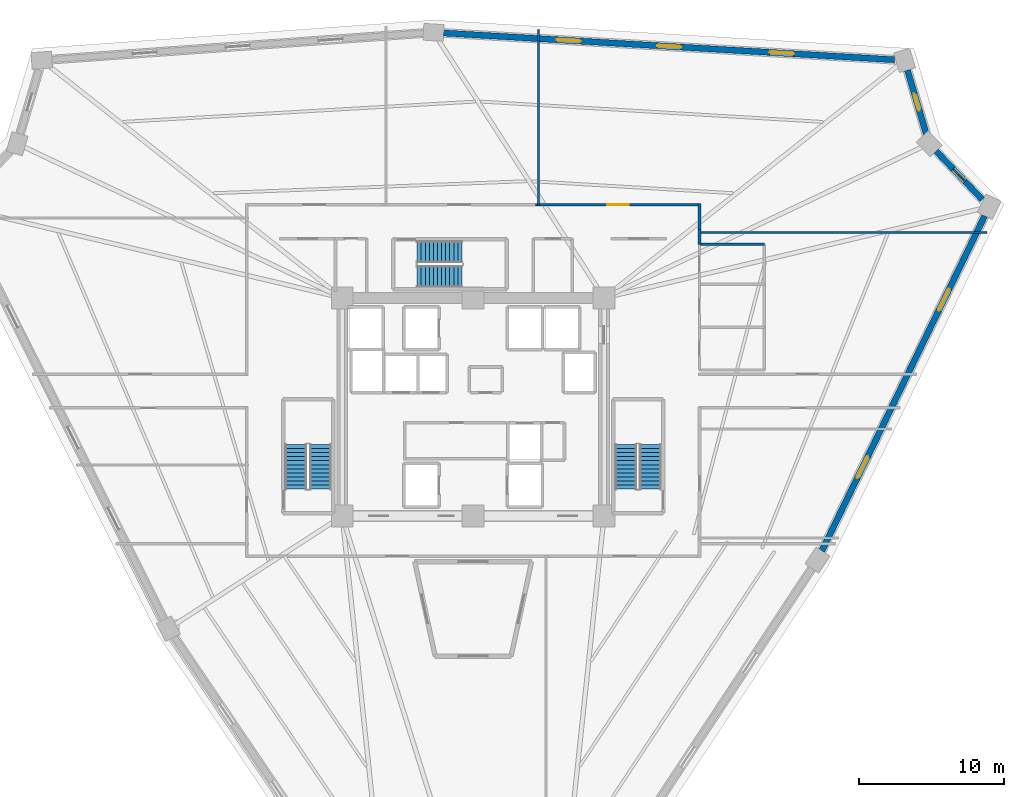
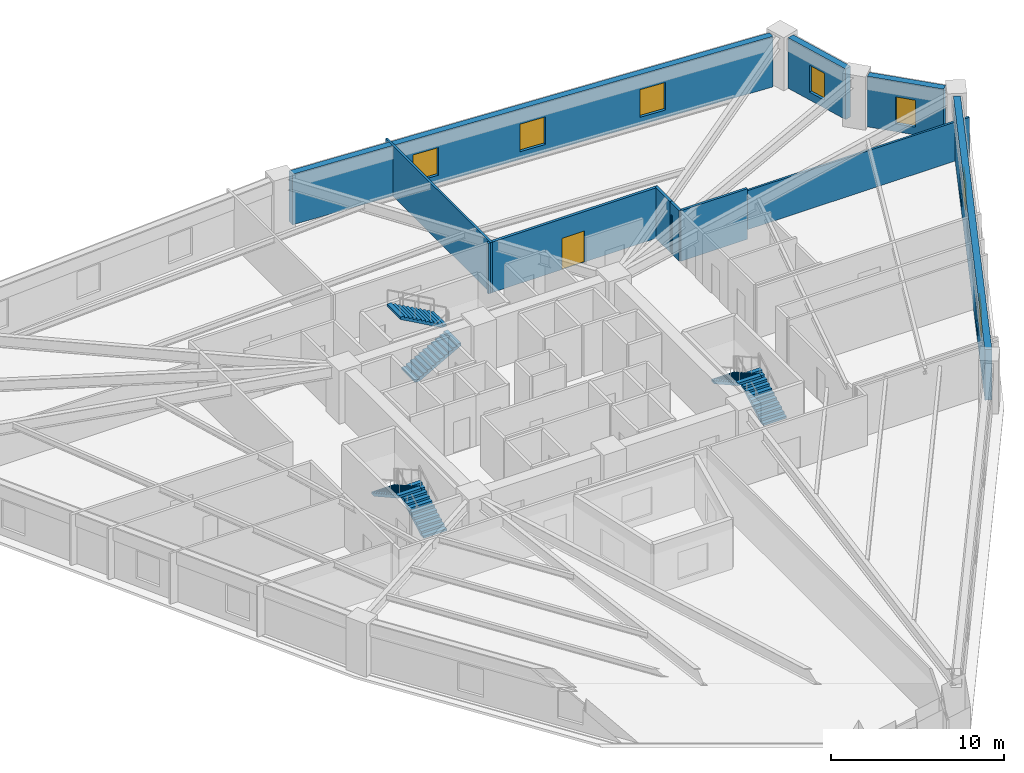
# One storey, part 7 of 9: 10 walls, 7 windows, 6 stair flights, 1 door, 8 openings, 3 elements without a shape of their own.
"""IFC4 building model written with IfcOpenShell, lengths in metres."""

from ifc_helpers import new_model, si_unit, direction, frame, frame_2d, origin, place, context, subcontext, project, spatial, polyline, rectangle, outline, extrude, source, transform, mapped, material, layer, layer_set, type_object, element, fill, aggregate, save


model = new_model("IFC4")

# Units and contexts
model_context = context("Model", 3, precision=1e-05, world=origin(), true_north=direction((0.0, 1.0)))
body_context = subcontext(model_context, "Body", "Model", "MODEL_VIEW")
ifc_project = project(units=[si_unit("LENGTHUNIT", "METRE"), si_unit("AREAUNIT", "SQUARE_METRE"), si_unit("VOLUMEUNIT", "CUBIC_METRE"), si_unit("PLANEANGLEUNIT", "RADIAN"), si_unit("MASSUNIT", "GRAM", prefix="KILO")], contexts=[model_context])

# Site, building, storey
site_placement = place(None, origin())
site = spatial("IfcSite", under=ifc_project, at=site_placement, CompositionType="ELEMENT")
building_placement = place(site_placement, origin())
building = spatial("IfcBuilding", under=site, at=building_placement, Name="Liaohun Quay Tower", CompositionType="ELEMENT")
storey_placement = place(building_placement, frame((0.0, 0.0, 144.0)))
storey = spatial("IfcBuildingStorey", under=building, at=storey_placement, Name="L37", CompositionType="ELEMENT", Elevation=144.0)

# Wall, openings, windows
ifc_material_1 = material(Name="Precast concrete C50 insulated sandwich", Category="concrete")
ifc_layer_1 = layer(ifc_material_1, 0.419921875, Name="Precast concrete C50 insulated sandwich", Category="concrete")
ifc_layer_set_1 = layer_set([ifc_layer_1], Name="Precast concrete C50 insulated sandwich")
wall_type_1 = type_object("IfcWallType", Name="WAL-EXT-Z12", PredefinedType="SOLIDWALL", material=ifc_layer_set_1)
wall_1_placement = place(storey_placement, frame((83.968017578125, 44.10205078125, 0.0), z_axis=(0.0, 0.0, 1.0), x_axis=(0.437237241279, 0.899346204105, 0.0)))
wall_1 = element("IfcWall", 1, at=wall_1_placement, inside=storey, type_object=wall_type_1, Name="L37 Brutalist Precast Pier Wall 03", PredefinedType="SOLIDWALL", context=body_context, shape_type="SweptSolid", body=[
    extrude(rectangle(XDim=25.61962890625, YDim=0.419921875, at=frame_2d((12.809814453125, 0.0))), origin(), (0.0, 0.0, 1.0), 3.570068359375),
])
shared_shape_1 = source(origin(), body_context, "Body", "SweptSolid", [
    extrude(rectangle(XDim=1.64990234375, YDim=1.949951171875, at=frame_2d((0.824951171875, 0.97509765625))), frame((0.0, 0.219970703125, 0.0), z_axis=(0.0, -1.0, 0.0), x_axis=(1.0, 0.0, 0.0)), (0.0, 0.0, 1.0), 0.43994140625),
])
opening_1_placement = place(wall_1_placement, frame((5.580078125, 0.0, 0.550048828125)))
opening_1 = element("IfcOpeningElement", 2, at=opening_1_placement, cuts=wall_1, Name="Opening W02", PredefinedType="OPENING", context=body_context, shape_type="MappedRepresentation", body=[
    mapped(shared_shape_1, transform((0.0, 0.0, 0.0), x_axis=(1.0, 0.0, 0.0), y_axis=(0.0, 1.0, 0.0), z_axis=(0.0, 0.0, 1.0), scale=1.0)),
])
opening_2_placement = place(wall_1_placement, frame((18.389892578125, 0.0, 0.550048828125)))
opening_2 = element("IfcOpeningElement", 3, at=opening_2_placement, cuts=wall_1, Name="Opening W02", PredefinedType="OPENING", context=body_context, shape_type="MappedRepresentation", body=[
    mapped(shared_shape_1, transform((0.0, 0.0, 0.0), x_axis=(1.0, 0.0, 0.0), y_axis=(0.0, 1.0, 0.0), z_axis=(0.0, 0.0, 1.0), scale=1.0)),
])
ifc_material_2 = material(Name="Triple Low-E argon glazing in thermally broken aluminium", Category="aluminium")
window_type_1 = type_object("IfcWindowType", Name="WIN-PUN-Z2", PartitioningType="DOUBLE_PANEL_VERTICAL", PredefinedType="WINDOW", material=ifc_material_2)
shared_shape_2 = source(origin(), body_context, "Body", "SweptSolid", [
    extrude(rectangle(XDim=1.64990234375, YDim=1.949951171875, at=frame_2d((0.824951171875, 0.97509765625))), frame((0.0, 0.030029296875, 0.0), z_axis=(0.0, -1.0, 0.0), x_axis=(1.0, 0.0, 0.0)), (0.0, 0.0, 1.0), 0.06005859375),
])
window_1_placement = place(opening_1_placement, origin())
window_1 = element("IfcWindow", 4, at=window_1_placement, inside=storey, type_object=window_type_1, Name="L37 Recessed Cold-Climate Punched Window 03-1", OverallHeight=1.949951171875, OverallWidth=1.64990234375, PartitioningType="DOUBLE_PANEL_VERTICAL", PredefinedType="WINDOW", context=body_context, shape_type="MappedRepresentation", body=[
    mapped(shared_shape_2, transform((0.0, 0.0, 0.0), x_axis=(1.0, 0.0, 0.0), y_axis=(0.0, 1.0, 0.0), z_axis=(0.0, 0.0, 1.0), scale=1.0)),
])
fill(opening_1, window_1)
window_2_placement = place(opening_2_placement, origin())
window_2 = element("IfcWindow", 5, at=window_2_placement, inside=storey, type_object=window_type_1, Name="L37 Recessed Cold-Climate Punched Window 03-3", OverallHeight=1.949951171875, OverallWidth=1.64990234375, PartitioningType="DOUBLE_PANEL_VERTICAL", PredefinedType="WINDOW", context=body_context, shape_type="MappedRepresentation", body=[
    mapped(shared_shape_2, transform((0.0, 0.0, 0.0), x_axis=(1.0, 0.0, 0.0), y_axis=(0.0, 1.0, 0.0), z_axis=(0.0, 0.0, 1.0), scale=1.0)),
])
fill(opening_2, window_2)

# Wall, opening, window
wall_2_placement = place(storey_placement, frame((94.99609375, 68.263916015625, 0.0), z_axis=(0.0, 0.0, 1.0), x_axis=(-0.689168939428, 0.724600698956, 0.0)))
wall_2 = element("IfcWall", 6, at=wall_2_placement, inside=storey, type_object=wall_type_1, Name="L37 Brutalist Precast Pier Wall 04", PredefinedType="SOLIDWALL", context=body_context, shape_type="SweptSolid", body=[
    extrude(rectangle(XDim=4.602783203125, YDim=0.419921875, at=frame_2d((2.30126953125, 0.0))), origin(), (0.0, 0.0, 1.0), 3.570068359375),
])
shared_shape_3 = source(origin(), body_context, "Body", "SweptSolid", [
    extrude(rectangle(XDim=1.199951171875, YDim=1.89990234375, at=frame_2d((0.60009765625, 0.949951171875))), frame((0.0, 0.219970703125, 0.0), z_axis=(0.0, -1.0, 0.0), x_axis=(1.0, 0.0, 0.0)), (0.0, 0.0, 1.0), 0.43994140625),
])
opening_3_placement = place(wall_2_placement, frame((1.700927734375, 0.0, 0.550048828125)))
opening_3 = element("IfcOpeningElement", 7, at=opening_3_placement, cuts=wall_2, Name="Opening W05", PredefinedType="OPENING", context=body_context, shape_type="MappedRepresentation", body=[
    mapped(shared_shape_3, transform((0.0, 0.0, 0.0), x_axis=(1.0, 0.0, 0.0), y_axis=(0.0, 1.0, 0.0), z_axis=(0.0, 0.0, 1.0), scale=1.0)),
])
ifc_material_3 = material(Name="Triple Low-E corner notch glazing", Category="glass")
window_type_2 = type_object("IfcWindowType", Name="WIN-NOTCH", PartitioningType="SINGLE_PANEL", PredefinedType="WINDOW", material=ifc_material_3)
shared_shape_4 = source(origin(), body_context, "Body", "SweptSolid", [
    extrude(rectangle(XDim=1.199951171875, YDim=1.89990234375, at=frame_2d((0.60009765625, 0.949951171875))), frame((0.0, 0.030029296875, 0.0), z_axis=(0.0, -1.0, 0.0), x_axis=(1.0, 0.0, 0.0)), (0.0, 0.0, 1.0), 0.06005859375),
])
window_3_placement = place(opening_3_placement, origin())
window_3 = element("IfcWindow", 8, at=window_3_placement, inside=storey, type_object=window_type_2, Name="L37 Corner Notch Window W05-04", OverallHeight=1.89990234375, OverallWidth=1.199951171875, PartitioningType="SINGLE_PANEL", PredefinedType="WINDOW", context=body_context, shape_type="MappedRepresentation", body=[
    mapped(shared_shape_4, transform((0.0, 0.0, 0.0), x_axis=(1.0, 0.0, 0.0), y_axis=(0.0, 1.0, 0.0), z_axis=(0.0, 0.0, 1.0), scale=1.0)),
])
fill(opening_3, window_3)

wall_3_placement = place(storey_placement, frame((91.153076171875, 72.760986328125, 0.0), z_axis=(0.0, 0.0, 1.0), x_axis=(-0.2829429476, 0.959136741244, 0.0)))
wall_3 = element("IfcWall", 9, at=wall_3_placement, inside=storey, type_object=wall_type_1, Name="L37 Brutalist Precast Pier Wall 05", PredefinedType="SOLIDWALL", context=body_context, shape_type="SweptSolid", body=[
    extrude(rectangle(XDim=4.5947265625, YDim=0.419921875, at=frame_2d((2.29736328125, 0.0))), origin(), (0.0, 0.0, 1.0), 3.570068359375),
])
opening_4_placement = place(wall_3_placement, frame((1.697021484375, 0.0, 0.550048828125)))
opening_4 = element("IfcOpeningElement", 10, at=opening_4_placement, cuts=wall_3, Name="Opening W05", PredefinedType="OPENING", context=body_context, shape_type="MappedRepresentation", body=[
    mapped(shared_shape_3, transform((0.0, 0.0, 0.0), x_axis=(1.0, 0.0, 0.0), y_axis=(0.0, 1.0, 0.0), z_axis=(0.0, 0.0, 1.0), scale=1.0)),
])
window_4_placement = place(opening_4_placement, origin())
window_4 = element("IfcWindow", 11, at=window_4_placement, inside=storey, type_object=window_type_2, Name="L37 Corner Notch Window W05-05", OverallHeight=1.89990234375, OverallWidth=1.199951171875, PartitioningType="SINGLE_PANEL", PredefinedType="WINDOW", context=body_context, shape_type="MappedRepresentation", body=[
    mapped(shared_shape_4, transform((0.0, 0.0, 0.0), x_axis=(1.0, 0.0, 0.0), y_axis=(0.0, 1.0, 0.0), z_axis=(0.0, 0.0, 1.0), scale=1.0)),
])
fill(opening_4, window_4)

# Wall, openings, windows
wall_4_placement = place(storey_placement, frame((88.968994140625, 77.87109375, 0.0), z_axis=(0.0, 0.0, 1.0), x_axis=(-0.998239939478, 0.059304495869, 0.0)))
wall_4 = element("IfcWall", 12, at=wall_4_placement, inside=storey, type_object=wall_type_1, Name="L37 Brutalist Precast Pier Wall 06", PredefinedType="SOLIDWALL", context=body_context, shape_type="SweptSolid", body=[
    extrude(rectangle(XDim=31.056640625, YDim=0.419921875, at=frame_2d((15.5283203125, 0.0))), origin(), (0.0, 0.0, 1.0), 3.570068359375),
])
opening_5_placement = place(wall_4_placement, frame((6.93896484375, 0.0, 0.550048828125)))
opening_5 = element("IfcOpeningElement", 13, at=opening_5_placement, cuts=wall_4, Name="Opening W02", PredefinedType="OPENING", context=body_context, shape_type="MappedRepresentation", body=[
    mapped(shared_shape_1, transform((0.0, 0.0, 0.0), x_axis=(1.0, 0.0, 0.0), y_axis=(0.0, 1.0, 0.0), z_axis=(0.0, 0.0, 1.0), scale=1.0)),
])
opening_6_placement = place(wall_4_placement, frame((14.702880859375, 0.0, 0.550048828125)))
opening_6 = element("IfcOpeningElement", 14, at=opening_6_placement, cuts=wall_4, Name="Opening W02", PredefinedType="OPENING", context=body_context, shape_type="MappedRepresentation", body=[
    mapped(shared_shape_1, transform((0.0, 0.0, 0.0), x_axis=(1.0, 0.0, 0.0), y_axis=(0.0, 1.0, 0.0), z_axis=(0.0, 0.0, 1.0), scale=1.0)),
])
opening_7_placement = place(wall_4_placement, frame((21.617919921875, 0.0, 0.550048828125)))
opening_7 = element("IfcOpeningElement", 15, at=opening_7_placement, cuts=wall_4, Name="Opening W02", PredefinedType="OPENING", context=body_context, shape_type="MappedRepresentation", body=[
    mapped(shared_shape_1, transform((0.0, 0.0, 0.0), x_axis=(1.0, 0.0, 0.0), y_axis=(0.0, 1.0, 0.0), z_axis=(0.0, 0.0, 1.0), scale=1.0)),
])
window_5_placement = place(opening_5_placement, origin())
window_5 = element("IfcWindow", 16, at=window_5_placement, inside=storey, type_object=window_type_1, Name="L37 Recessed Cold-Climate Punched Window 06-1", OverallHeight=1.949951171875, OverallWidth=1.64990234375, PartitioningType="DOUBLE_PANEL_VERTICAL", PredefinedType="WINDOW", context=body_context, shape_type="MappedRepresentation", body=[
    mapped(shared_shape_2, transform((0.0, 0.0, 0.0), x_axis=(1.0, 0.0, 0.0), y_axis=(0.0, 1.0, 0.0), z_axis=(0.0, 0.0, 1.0), scale=1.0)),
])
fill(opening_5, window_5)
window_6_placement = place(opening_6_placement, origin())
window_6 = element("IfcWindow", 17, at=window_6_placement, inside=storey, type_object=window_type_1, Name="L37 Recessed Cold-Climate Punched Window 06-2", OverallHeight=1.949951171875, OverallWidth=1.64990234375, PartitioningType="DOUBLE_PANEL_VERTICAL", PredefinedType="WINDOW", context=body_context, shape_type="MappedRepresentation", body=[
    mapped(shared_shape_2, transform((0.0, 0.0, 0.0), x_axis=(1.0, 0.0, 0.0), y_axis=(0.0, 1.0, 0.0), z_axis=(0.0, 0.0, 1.0), scale=1.0)),
])
fill(opening_6, window_6)
window_7_placement = place(opening_7_placement, origin())
window_7 = element("IfcWindow", 18, at=window_7_placement, inside=storey, type_object=window_type_1, Name="L37 Recessed Cold-Climate Punched Window 06-3", OverallHeight=1.949951171875, OverallWidth=1.64990234375, PartitioningType="DOUBLE_PANEL_VERTICAL", PredefinedType="WINDOW", context=body_context, shape_type="MappedRepresentation", body=[
    mapped(shared_shape_2, transform((0.0, 0.0, 0.0), x_axis=(1.0, 0.0, 0.0), y_axis=(0.0, 1.0, 0.0), z_axis=(0.0, 0.0, 1.0), scale=1.0)),
])
fill(opening_7, window_7)

# Wall, opening, door
ifc_material_4 = material(Name="Autoclaved aerated concrete blockwork", Category="masonry")
ifc_layer_2 = layer(ifc_material_4, 0.179931640625, Name="Autoclaved aerated concrete blockwork", Category="masonry")
ifc_layer_set_2 = layer_set([ifc_layer_2], Name="Autoclaved aerated concrete blockwork")
wall_type_2 = type_object("IfcWallType", Name="WAL-PRT-COR", PredefinedType="PARTITIONING", material=ifc_layer_set_2)
wall_5_placement = place(storey_placement, frame((64.284912109375, 67.909912109375, 0.0), z_axis=(0.0, 0.0, 1.0), x_axis=(1.0, 0.0, 0.0)))
wall_5 = element("IfcWall", 19, at=wall_5_placement, inside=storey, type_object=wall_type_2, Name="L37 Interior Partition Wall 012", PredefinedType="PARTITIONING", context=body_context, shape_type="SweptSolid", body=[
    extrude(rectangle(XDim=11.344970703125, YDim=0.179931640625, at=frame_2d((5.67236328125, 0.0))), origin(), (0.0, 0.0, 1.0), 3.570068359375),
])
shared_shape_5 = source(origin(), body_context, "Body", "SweptSolid", [
    extrude(rectangle(XDim=1.5, YDim=2.199951171875, at=frame_2d((0.75, 1.10009765625))), frame((0.0, 0.099853515625, 0.0), z_axis=(0.0, -1.0, 0.0), x_axis=(1.0, 0.0, 0.0)), (0.0, 0.0, 1.0), 0.199951171875),
])
opening_8_placement = place(wall_5_placement, frame((4.922119140625, 0.0, 0.0)))
opening_8 = element("IfcOpeningElement", 20, at=opening_8_placement, cuts=wall_5, Name="Opening OD2", PredefinedType="OPENING", context=body_context, shape_type="MappedRepresentation", body=[
    mapped(shared_shape_5, transform((0.0, 0.0, 0.0), x_axis=(1.0, 0.0, 0.0), y_axis=(0.0, 1.0, 0.0), z_axis=(0.0, 0.0, 1.0), scale=1.0)),
])
ifc_material_5 = material(Name="Acoustic oak veneer double door")
door_type = type_object("IfcDoorType", Name="DOR-OFF-1500", OperationType="DOUBLE_DOOR_SINGLE_SWING", PredefinedType="DOOR", material=ifc_material_5)
shared_shape_6 = source(origin(), body_context, "Body", "SweptSolid", [
    extrude(rectangle(XDim=1.5, YDim=2.199951171875, at=frame_2d((0.75, 1.10009765625))), frame((0.0, 0.02490234375, 0.0), z_axis=(0.0, -1.0, 0.0), x_axis=(1.0, 0.0, 0.0)), (0.0, 0.0, 1.0), 0.050048828125),
])
door_placement = place(opening_8_placement, origin())
door = element("IfcDoor", 21, at=door_placement, inside=storey, type_object=door_type, Name="L37 Occupational Wellness Clinic 02 Door", OperationType="DOUBLE_DOOR_SINGLE_SWING", OverallHeight=2.199951171875, OverallWidth=1.5, PredefinedType="DOOR", context=body_context, shape_type="MappedRepresentation", body=[
    mapped(shared_shape_6, transform((0.0, 0.0, 0.0), x_axis=(1.0, 0.0, 0.0), y_axis=(0.0, 1.0, 0.0), z_axis=(0.0, 0.0, 1.0), scale=1.0)),
])
fill(opening_8, door)

# Walls
wall_6_placement = place(storey_placement, frame((75.56005859375, 66.215087890625, 0.0), z_axis=(0.0, 0.0, 1.0), x_axis=(0.0, -1.0, 0.0)))
element("IfcWall", 22, at=wall_6_placement, inside=storey, type_object=wall_type_2, Name="L37 Interior Partition Wall 036", PredefinedType="PARTITIONING", context=body_context, shape_type="SweptSolid", body=[
    extrude(rectangle(XDim=1.03515625, YDim=0.179931640625, at=frame_2d((0.517578125, 0.0))), origin(), (0.0, 0.0, 1.0), 3.570068359375),
])
wall_7_placement = place(storey_placement, frame((75.56005859375, 67.97998046875, 0.0), z_axis=(0.0, 0.0, 1.0), x_axis=(0.0, -1.0, 0.0)))
element("IfcWall", 23, at=wall_7_placement, inside=storey, type_object=wall_type_2, Name="L37 Interior Partition Wall 037", PredefinedType="PARTITIONING", context=body_context, shape_type="SweptSolid", body=[
    extrude(rectangle(XDim=1.764892578125, YDim=0.179931640625, at=frame_2d((0.88232421875, 0.0))), origin(), (0.0, 0.0, 1.0), 3.570068359375),
])
ifc_material_6 = material(Name="Gypsum board on twin steel studs", Category="steel")
ifc_layer_3 = layer(ifc_material_6, 0.139892578125, Name="Gypsum board on twin steel studs", Category="steel")
ifc_layer_set_3 = layer_set([ifc_layer_3], Name="Gypsum board on twin steel studs")
wall_type_3 = type_object("IfcWallType", Name="WAL-PRT-OFF", PredefinedType="PARTITIONING", material=ifc_layer_set_3)
wall_8_placement = place(storey_placement, frame((75.4599609375, 66.0, 0.0), z_axis=(0.0, 0.0, 1.0), x_axis=(1.0, 0.0, 0.0)))
element("IfcWall", 24, at=wall_8_placement, inside=storey, type_object=wall_type_3, Name="L37 Interior Partition Wall 050", PredefinedType="PARTITIONING", context=body_context, shape_type="SweptSolid", body=[
    extrude(rectangle(XDim=19.85400390625, YDim=0.139892578125, at=frame_2d((9.927001953125, 0.0))), origin(), (0.0, 0.0, 1.0), 2.7548828125),
])
wall_9_placement = place(storey_placement, frame((64.5, 67.81005859375, 0.0), z_axis=(0.0, 0.0, 1.0), x_axis=(0.0, 1.0, 0.0)))
element("IfcWall", 25, at=wall_9_placement, inside=storey, type_object=wall_type_3, Name="L37 Interior Partition Wall 052", PredefinedType="PARTITIONING", context=body_context, shape_type="SweptSolid", body=[
    extrude(rectangle(XDim=12.14599609375, YDim=0.139892578125, at=frame_2d((6.072998046875, 0.0))), origin(), (0.0, 0.0, 1.0), 3.570068359375),
])
ifc_material_7 = material(Name="Moisture-resistant masonry blockwork", Category="masonry")
ifc_layer_4 = layer(ifc_material_7, 0.159912109375, Name="Moisture-resistant masonry blockwork", Category="masonry")
ifc_layer_set_4 = layer_set([ifc_layer_4], Name="Moisture-resistant masonry blockwork")
wall_type_4 = type_object("IfcWallType", Name="WAL-PRT-WET", PredefinedType="PARTITIONING", material=ifc_layer_set_4)
wall_10_placement = place(storey_placement, frame((75.56005859375, 65.179931640625, 0.0), z_axis=(0.0, 0.0, 1.0), x_axis=(1.0, 0.0, 0.0)))
element("IfcWall", 26, at=wall_10_placement, inside=storey, type_object=wall_type_4, Name="L37 Interior Partition Wall 031", PredefinedType="PARTITIONING", context=body_context, shape_type="SweptSolid", body=[
    extrude(rectangle(XDim=4.4599609375, YDim=0.159912109375, at=frame_2d((2.22998046875, 0.0))), origin(), (0.0, 0.0, 1.0), 3.570068359375),
])

# Stair, stair flights
ifc_material_8 = material(Name="Concrete C45", Category="concrete")
stair_type = type_object("IfcStairType", Name="STR-CORE-OFF", PredefinedType="HALF_TURN_STAIR", material=ifc_material_8)
stair_1_placement = place(storey_placement, origin())
stair_1 = element("IfcStair", 27, at=stair_1_placement, inside=storey, type_object=stair_type, Name="L37 Smokeproof Core Exit Stair ST-1", PredefinedType="HALF_TURN_STAIR")
stair_flight_type = type_object("IfcStairFlightType", Name="FLT-CORE-155", PredefinedType="STRAIGHT", material=ifc_material_8)
stair_flight_1_placement = place(storey_placement, frame((49.5048828125, 48.35009765625, 0.0), z_axis=(0.0, 0.0, 1.0), x_axis=(0.0, 1.0, 0.0)))
stair_flight_1 = element("IfcStairFlight", 28, at=stair_flight_1_placement, type_object=stair_flight_type, Name="ST-1 flight 1", NumberOfRisers=12, NumberOfTreads=11, PredefinedType="STRAIGHT", RiserHeight=0.15625, TreadLength=0.28, context=body_context, shape_type="SweptSolid", body=[
    extrude(outline(polyline([(0.0, 0.0), (0.0, 0.15625), (0.280029296875, 0.15625), (0.280029296875, 0.3125), (0.56005859375, 0.3125), (0.56005859375, 0.46875), (0.840087890625, 0.46875), (0.840087890625, 0.625), (1.1201171875, 0.625), (1.1201171875, 0.78125), (1.39990234375, 0.78125), (1.39990234375, 0.9375), (1.679931640625, 0.9375), (1.679931640625, 1.09375), (1.9599609375, 1.09375), (1.9599609375, 1.25), (2.239990234375, 1.25), (2.239990234375, 1.40625), (2.52001953125, 1.40625), (2.52001953125, 1.5625), (2.800048828125, 1.5625), (2.800048828125, 1.71875), (3.080078125, 1.71875), (3.080078125, 1.875), (3.080078125, 1.547119140625), (0.3076171875, 0.0), (0.0, 0.0)])), frame((0.0, 0.77490234375, 0.0), z_axis=(0.0, -1.0, 0.0), x_axis=(1.0, 0.0, 0.0)), (0.0, 0.0, 1.0), 1.550048828125),
])
stair_flight_2_placement = place(storey_placement, frame((47.81494140625, 51.429931640625, 1.875), z_axis=(0.0, 0.0, 1.0), x_axis=(0.0, -1.0, 0.0)))
stair_flight_2 = element("IfcStairFlight", 29, at=stair_flight_2_placement, type_object=stair_flight_type, Name="ST-1 flight 2", NumberOfRisers=12, NumberOfTreads=11, PredefinedType="STRAIGHT", RiserHeight=0.15625, TreadLength=0.28, context=body_context, shape_type="SweptSolid", body=[
    extrude(outline(polyline([(0.0, 0.0), (0.0, 0.15625), (0.280029296875, 0.15625), (0.280029296875, 0.3125), (0.56005859375, 0.3125), (0.56005859375, 0.46875), (0.840087890625, 0.46875), (0.840087890625, 0.625), (1.1201171875, 0.625), (1.1201171875, 0.78125), (1.39990234375, 0.78125), (1.39990234375, 0.9375), (1.679931640625, 0.9375), (1.679931640625, 1.09375), (1.9599609375, 1.09375), (1.9599609375, 1.25), (2.239990234375, 1.25), (2.239990234375, 1.40625), (2.52001953125, 1.40625), (2.52001953125, 1.5625), (2.800048828125, 1.5625), (2.800048828125, 1.71875), (3.080078125, 1.71875), (3.080078125, 1.875), (3.080078125, 1.547119140625), (0.3076171875, 0.0), (0.0, 0.0)])), frame((0.0, 0.77490234375, 0.0), z_axis=(0.0, -1.0, 0.0), x_axis=(1.0, 0.0, 0.0)), (0.0, 0.0, 1.0), 1.550048828125),
])
aggregate(stair_1, [stair_flight_1, stair_flight_2])

stair_2_placement = place(storey_placement, origin())
stair_2 = element("IfcStair", 30, at=stair_2_placement, inside=storey, type_object=stair_type, Name="L37 Smokeproof Core Exit Stair ST-2", PredefinedType="HALF_TURN_STAIR")
stair_flight_3_placement = place(storey_placement, frame((72.18505859375, 48.35009765625, 0.0), z_axis=(0.0, 0.0, 1.0), x_axis=(0.0, 1.0, 0.0)))
stair_flight_3 = element("IfcStairFlight", 31, at=stair_flight_3_placement, type_object=stair_flight_type, Name="ST-2 flight 1", NumberOfRisers=12, NumberOfTreads=11, PredefinedType="STRAIGHT", RiserHeight=0.15625, TreadLength=0.28, context=body_context, shape_type="SweptSolid", body=[
    extrude(outline(polyline([(0.0, 0.0), (0.0, 0.15625), (0.280029296875, 0.15625), (0.280029296875, 0.3125), (0.56005859375, 0.3125), (0.56005859375, 0.46875), (0.840087890625, 0.46875), (0.840087890625, 0.625), (1.1201171875, 0.625), (1.1201171875, 0.78125), (1.39990234375, 0.78125), (1.39990234375, 0.9375), (1.679931640625, 0.9375), (1.679931640625, 1.09375), (1.9599609375, 1.09375), (1.9599609375, 1.25), (2.239990234375, 1.25), (2.239990234375, 1.40625), (2.52001953125, 1.40625), (2.52001953125, 1.5625), (2.800048828125, 1.5625), (2.800048828125, 1.71875), (3.080078125, 1.71875), (3.080078125, 1.875), (3.080078125, 1.547119140625), (0.3076171875, 0.0), (0.0, 0.0)])), frame((0.0, 0.77490234375, 0.0), z_axis=(0.0, -1.0, 0.0), x_axis=(1.0, 0.0, 0.0)), (0.0, 0.0, 1.0), 1.550048828125),
])
stair_flight_4_placement = place(storey_placement, frame((70.4951171875, 51.429931640625, 1.875), z_axis=(0.0, 0.0, 1.0), x_axis=(0.0, -1.0, 0.0)))
stair_flight_4 = element("IfcStairFlight", 32, at=stair_flight_4_placement, type_object=stair_flight_type, Name="ST-2 flight 2", NumberOfRisers=12, NumberOfTreads=11, PredefinedType="STRAIGHT", RiserHeight=0.15625, TreadLength=0.28, context=body_context, shape_type="SweptSolid", body=[
    extrude(outline(polyline([(0.0, 0.0), (0.0, 0.15625), (0.280029296875, 0.15625), (0.280029296875, 0.3125), (0.56005859375, 0.3125), (0.56005859375, 0.46875), (0.840087890625, 0.46875), (0.840087890625, 0.625), (1.1201171875, 0.625), (1.1201171875, 0.78125), (1.39990234375, 0.78125), (1.39990234375, 0.9375), (1.679931640625, 0.9375), (1.679931640625, 1.09375), (1.9599609375, 1.09375), (1.9599609375, 1.25), (2.239990234375, 1.25), (2.239990234375, 1.40625), (2.52001953125, 1.40625), (2.52001953125, 1.5625), (2.800048828125, 1.5625), (2.800048828125, 1.71875), (3.080078125, 1.71875), (3.080078125, 1.875), (3.080078125, 1.547119140625), (0.3076171875, 0.0), (0.0, 0.0)])), frame((0.0, 0.77490234375, 0.0), z_axis=(0.0, -1.0, 0.0), x_axis=(1.0, 0.0, 0.0)), (0.0, 0.0, 1.0), 1.550048828125),
])
aggregate(stair_2, [stair_flight_3, stair_flight_4])

stair_3_placement = place(storey_placement, origin())
stair_3 = element("IfcStair", 33, at=stair_3_placement, inside=storey, type_object=stair_type, Name="L37 Smokeproof Core Exit Stair ST-3", PredefinedType="HALF_TURN_STAIR")
stair_flight_5_placement = place(storey_placement, frame((56.14990234375, 62.97509765625, 0.0), z_axis=(0.0, 0.0, 1.0), x_axis=(1.0, 0.0, 0.0)))
stair_flight_5 = element("IfcStairFlight", 34, at=stair_flight_5_placement, type_object=stair_flight_type, Name="ST-3 flight 1", NumberOfRisers=12, NumberOfTreads=11, PredefinedType="STRAIGHT", RiserHeight=0.15625, TreadLength=0.28, context=body_context, shape_type="SweptSolid", body=[
    extrude(outline(polyline([(0.0, 0.0), (0.0, 0.15625), (0.280029296875, 0.15625), (0.280029296875, 0.3125), (0.56005859375, 0.3125), (0.56005859375, 0.46875), (0.840087890625, 0.46875), (0.840087890625, 0.625), (1.1201171875, 0.625), (1.1201171875, 0.78125), (1.39990234375, 0.78125), (1.39990234375, 0.9375), (1.679931640625, 0.9375), (1.679931640625, 1.09375), (1.9599609375, 1.09375), (1.9599609375, 1.25), (2.239990234375, 1.25), (2.239990234375, 1.40625), (2.52001953125, 1.40625), (2.52001953125, 1.5625), (2.800048828125, 1.5625), (2.800048828125, 1.71875), (3.080078125, 1.71875), (3.080078125, 1.875), (3.080078125, 1.547119140625), (0.3076171875, 0.0), (0.0, 0.0)])), frame((0.0, 0.77490234375, 0.0), z_axis=(0.0, -1.0, 0.0), x_axis=(1.0, 0.0, 0.0)), (0.0, 0.0, 1.0), 1.550048828125),
])
stair_flight_6_placement = place(storey_placement, frame((59.22998046875, 64.6650390625, 1.875), z_axis=(0.0, 0.0, 1.0), x_axis=(-1.0, 0.0, 0.0)))
stair_flight_6 = element("IfcStairFlight", 35, at=stair_flight_6_placement, type_object=stair_flight_type, Name="ST-3 flight 2", NumberOfRisers=12, NumberOfTreads=11, PredefinedType="STRAIGHT", RiserHeight=0.15625, TreadLength=0.28, context=body_context, shape_type="SweptSolid", body=[
    extrude(outline(polyline([(0.0, 0.0), (0.0, 0.15625), (0.280029296875, 0.15625), (0.280029296875, 0.3125), (0.56005859375, 0.3125), (0.56005859375, 0.46875), (0.840087890625, 0.46875), (0.840087890625, 0.625), (1.1201171875, 0.625), (1.1201171875, 0.78125), (1.39990234375, 0.78125), (1.39990234375, 0.9375), (1.679931640625, 0.9375), (1.679931640625, 1.09375), (1.9599609375, 1.09375), (1.9599609375, 1.25), (2.239990234375, 1.25), (2.239990234375, 1.40625), (2.52001953125, 1.40625), (2.52001953125, 1.5625), (2.800048828125, 1.5625), (2.800048828125, 1.71875), (3.080078125, 1.71875), (3.080078125, 1.875), (3.080078125, 1.547119140625), (0.3076171875, 0.0), (0.0, 0.0)])), frame((0.0, 0.77490234375, 0.0), z_axis=(0.0, -1.0, 0.0), x_axis=(1.0, 0.0, 0.0)), (0.0, 0.0, 1.0), 1.550048828125),
])
aggregate(stair_3, [stair_flight_5, stair_flight_6])

save(model, "model.ifc")
